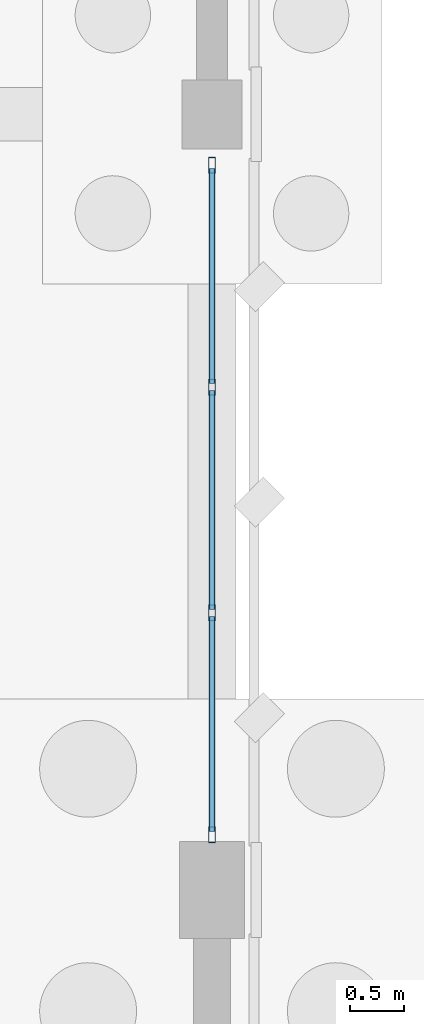
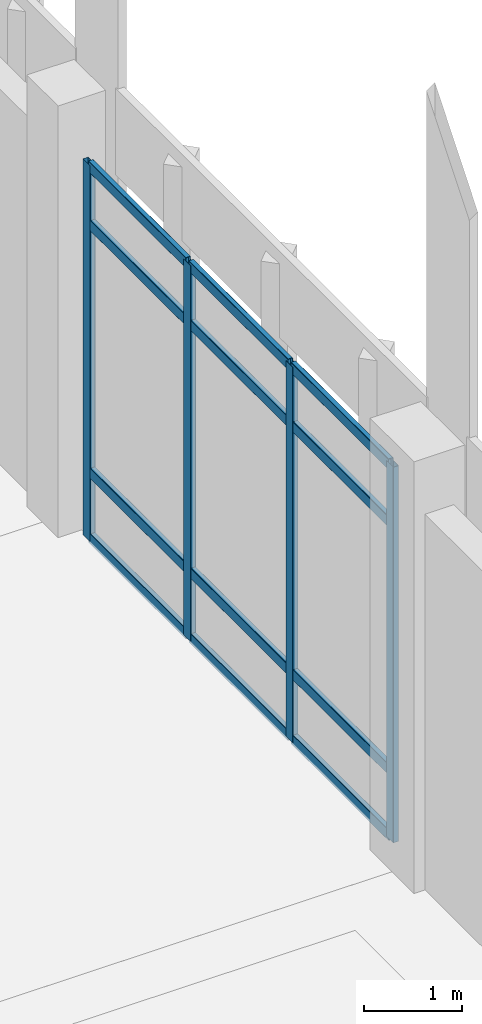
# One storey, part 64 of 109: 16 members, 1 element without a shape of its own.
"""IFC4 building model written with IfcOpenShell, lengths in metres."""

import ifcopenshell
import ifcopenshell.guid

model = None  # the IFC model being written
_history = None  # IfcOwnerHistory: only IFC2X3 demands one
_inside = {}  # id of a spatial element -> (the spatial element, [elements in it])
_under = {}  # id of a project, library or spatial element -> (it, [spatial elements below it])
_declared = {}  # id of a project -> (the project, [libraries it declares])
_typed = {}  # id of a type object -> (the type object, [elements of that type])
_made_of = {}  # id of a material, layer set ... -> (it, [elements and type objects made of it])


def new_model(schema):
    """Start an empty IFC model of exactly this schema.

    Asked for "IFC4X3", IfcOpenShell would pick the latest addendum, in which some entities
    have other attributes; the version numbers below select the first issue.
    IFC2X3 requires an IfcOwnerHistory on every rooted entity: one is made here for all.
    """
    global model, _history
    if schema == "IFC4X3":
        model = ifcopenshell.file(schema_version=(4, 3, 0, 0))
    else:
        model = ifcopenshell.file(schema=schema)
    _inside.clear()
    _under.clear()
    _declared.clear()
    _typed.clear()
    _made_of.clear()
    _history = None
    if model.schema == "IFC2X3":
        org = make("IfcOrganization", Name="unknown")
        user = make(
            "IfcPersonAndOrganization",
            ThePerson=make("IfcPerson", FamilyName="unknown"),
            TheOrganization=org,
        )
        app = make(
            "IfcApplication",
            ApplicationDeveloper=org,
            Version="unknown",
            ApplicationFullName="unknown",
            ApplicationIdentifier="unknown",
        )
        _history = make(
            "IfcOwnerHistory",
            OwningUser=user,
            OwningApplication=app,
            ChangeAction="ADDED",
            CreationDate=0,
        )
    return model


def make(cls, **values):
    """One entity of the class cls with the attributes given. An attribute that is None is left unset."""
    return model.create_entity(
        cls, **{name: value for name, value in values.items() if value is not None}
    )


def rooted(cls, **values):
    """An entity with a GlobalId (a new one), such as an element, a storey or a relation."""
    return make(cls, GlobalId=ifcopenshell.guid.new(), OwnerHistory=_history, **values)


def si_unit(unit_type, name, prefix=None):
    """IfcSIUnit, for example si_unit("LENGTHUNIT", "METRE", prefix="MILLI")."""
    return make("IfcSIUnit", UnitType=unit_type, Prefix=prefix, Name=name)


def assignment(units):
    """IfcUnitAssignment: the units of a project."""
    return None if units is None else make("IfcUnitAssignment", Units=units)


def point(xyz):
    """IfcCartesianPoint."""
    return None if xyz is None else make("IfcCartesianPoint", Coordinates=xyz)


def direction(xyz):
    """IfcDirection."""
    return None if xyz is None else make("IfcDirection", DirectionRatios=xyz)


def frame(location, z_axis=None, x_axis=None):
    """IfcAxis2Placement3D, a coordinate frame: its origin and axes. An axis left out is left unset."""
    return make(
        "IfcAxis2Placement3D",
        Location=point(location),
        Axis=direction(z_axis),
        RefDirection=direction(x_axis),
    )


def frame_2d(location, x_axis=None):
    """IfcAxis2Placement2D, a coordinate frame in the plane: its origin and x axis."""
    return make(
        "IfcAxis2Placement2D", Location=point(location), RefDirection=direction(x_axis)
    )


def origin():
    """The frame at (0, 0, 0) with its axes left unset."""
    return frame((0.0, 0.0, 0.0))


def origin_2d():
    """The frame at (0, 0) in the plane with its x axis left unset."""
    return frame_2d((0.0, 0.0))


def place(relative_to, where):
    """IfcLocalPlacement: puts the frame where relative to a parent placement (None: the world)."""
    return make(
        "IfcLocalPlacement", PlacementRelTo=relative_to, RelativePlacement=where
    )


def context(
    kind, dimensions, precision=None, world=None, true_north=None, identifier=None
):
    """IfcGeometricRepresentationContext, for example the 3D "Model" context."""
    return make(
        "IfcGeometricRepresentationContext",
        ContextIdentifier=identifier,
        ContextType=kind,
        CoordinateSpaceDimension=dimensions,
        Precision=precision,
        WorldCoordinateSystem=world,
        TrueNorth=true_north,
    )


def subcontext(parent, identifier, kind, view, scale=None):
    """IfcGeometricRepresentationSubContext, for example "Body" below "Model"."""
    return make(
        "IfcGeometricRepresentationSubContext",
        ContextIdentifier=identifier,
        ContextType=kind,
        ParentContext=parent,
        TargetScale=scale,
        TargetView=view,
    )


def project(units=None, contexts=None):
    """IfcProject with its units and contexts."""
    return rooted(
        "IfcProject",
        Name="project",
        RepresentationContexts=contexts,
        UnitsInContext=assignment(units),
    )


def spatial(cls, under=None, at=None, **own):
    """A site, building, storey or space (cls), placed at a placement, below another one or the project."""
    s = rooted(cls, ObjectPlacement=at, **own)
    if under is not None:
        _under.setdefault(under.id(), (under, []))[1].append(s)
    return s


def profile(cls, at=None, kind="AREA", **sizes):
    """A parametric profile (cls). Its sizes go by their IFC names, for example OverallWidth=200.0."""
    return make(cls, ProfileType=kind, Position=at, **sizes)


def hollow_rectangle(**sizes):
    """IfcRectangleHollowProfileDef."""
    return profile("IfcRectangleHollowProfileDef", **sizes)


def extrude(swept, where, along, depth):
    """IfcExtrudedAreaSolid: the profile swept, set in the frame where, extruded along a direction by depth."""
    return make(
        "IfcExtrudedAreaSolid",
        SweptArea=swept,
        Position=where,
        ExtrudedDirection=direction(along),
        Depth=depth,
    )


def shape(context_of_items, identifier, shape_type, items):
    """IfcShapeRepresentation: the items that make up one representation, for example the "Body"."""
    return make(
        "IfcShapeRepresentation",
        ContextOfItems=context_of_items,
        RepresentationIdentifier=identifier,
        RepresentationType=shape_type,
        Items=items,
    )


def material(Name=None, Category=None):
    """IfcMaterial."""
    return make("IfcMaterial", Name=Name, Category=Category)


def material_profile(
    of_material, cross_section, Name=None, Category=None, Priority=None
):
    """IfcMaterialProfile: a cross section and its material."""
    return make(
        "IfcMaterialProfile",
        Name=Name,
        Material=of_material,
        Profile=cross_section,
        Priority=Priority,
        Category=Category,
    )


def profile_set(profiles, Name=None, composite=None):
    """IfcMaterialProfileSet."""
    return make(
        "IfcMaterialProfileSet",
        Name=Name,
        MaterialProfiles=profiles,
        CompositeProfile=composite,
    )


def made_of(thing, what):
    """Note that an element or type object is made of a material, layer set ...; save() writes the relation."""
    if what is not None:
        _made_of.setdefault(what.id(), (what, []))[1].append(thing)
    return thing


def type_object(cls, material=None, **own):
    """A type object (cls), such as IfcWallType, which elements share."""
    return made_of(rooted(cls, **own), material)


def element(
    cls,
    number,
    at=None,
    inside=None,
    cuts=None,
    type_object=None,
    material=None,
    context=None,
    identifier="Body",
    shape_type=None,
    held_by="IfcProductDefinitionShape",
    body=None,
    shapes=None,
    **own,
):
    """One element of the class cls, such as IfcWall. Its Tag is "e" and its number.

    at: its placement. inside: the storey or other place that contains it. cuts: it is an
    opening in that element (IfcRelVoidsElement). A single representation is given by context,
    identifier, shape_type and body (its items); several are given by shapes. held_by: the class
    of the entity that holds the representations. save() writes the other relations.
    """
    e = rooted(cls, Tag="e%d" % number, ObjectPlacement=at, **own)
    if body is not None:
        shapes = [shape(context, identifier, shape_type, body)]
    if shapes is not None:
        e.Representation = make(held_by, Representations=shapes)
    if inside is not None:
        _inside.setdefault(inside.id(), (inside, []))[1].append(e)
    if cuts is not None:
        rooted(
            "IfcRelVoidsElement", RelatingBuildingElement=cuts, RelatedOpeningElement=e
        )
    if type_object is not None:
        _typed.setdefault(type_object.id(), (type_object, []))[1].append(e)
    return made_of(e, material)


def aggregate(whole, parts):
    """IfcRelAggregates: a whole, such as a stair, and the parts it consists of."""
    return rooted("IfcRelAggregates", RelatingObject=whole, RelatedObjects=parts)


def save(model, path):
    """Write the relations noted so far, then the file.

    IfcRelAggregates (storeys below a building ...), IfcRelContainedInSpatialStructure (elements
    in a storey), IfcRelDefinesByType, IfcRelAssociatesMaterial and IfcRelDeclares: one each for
    every whole, place, type object, material and project.
    """
    for whole, parts in _under.values():
        aggregate(whole, parts)
    for where, things in _inside.values():
        rooted(
            "IfcRelContainedInSpatialStructure",
            RelatedElements=things,
            RelatingStructure=where,
        )
    for kind, things in _typed.values():
        rooted("IfcRelDefinesByType", RelatedObjects=things, RelatingType=kind)
    for what, things in _made_of.values():
        rooted("IfcRelAssociatesMaterial", RelatedObjects=things, RelatingMaterial=what)
    for by, libraries in _declared.values():
        rooted("IfcRelDeclares", RelatingContext=by, RelatedDefinitions=libraries)
    model.write(path)


model = new_model("IFC4")

# Units and contexts
model_context = context("Model", 3, precision=1e-05, world=origin(), true_north=direction((0.0, 1.0)))
body_context = subcontext(model_context, "Body", "Model", "MODEL_VIEW")
ifc_project = project(units=[si_unit("LENGTHUNIT", "METRE"), si_unit("AREAUNIT", "SQUARE_METRE"), si_unit("VOLUMEUNIT", "CUBIC_METRE"), si_unit("PLANEANGLEUNIT", "RADIAN"), si_unit("MASSUNIT", "GRAM", prefix="KILO")], contexts=[model_context])

# Site, building, storey
site_placement = place(None, origin())
site = spatial("IfcSite", under=ifc_project, at=site_placement, CompositionType="ELEMENT")
building_placement = place(site_placement, origin())
building = spatial("IfcBuilding", under=site, at=building_placement, Name="Lusvemor Sports Hall", CompositionType="ELEMENT")
storey_placement = place(building_placement, origin())
storey = spatial("IfcBuildingStorey", under=building, at=storey_placement, Name="L00", CompositionType="ELEMENT", Elevation=0.0)

# Curtain wall, members
ifc_material_1 = material(Name="Thermally broken bronze-anodized aluminium", Category="aluminium")
curtain_wall_type = type_object("IfcCurtainWallType", Name="CW_PASSAGE_E", PredefinedType="NOTDEFINED", material=ifc_material_1)
curtain_wall_placement = place(storey_placement, origin())
curtain_wall = element("IfcCurtainWall", 1, at=curtain_wall_placement, inside=storey, type_object=curtain_wall_type, Name="Curtain Wall CW-ELINK-169-L00", PredefinedType="NOTDEFINED")
ifc_material_2 = material(Name="Thermally broken bronze-anodized aluminium", Category="aluminium")
ifc_material_profile_1 = material_profile(ifc_material_2, hollow_rectangle(XDim=0.06494140625, YDim=0.14990234375, WallThickness=0.00390625, InnerFilletRadius=0.00390625, OuterFilletRadius=0.008056640625, at=origin_2d()), Name="CWMUL150x65x4")
ifc_profile_set_1 = profile_set([ifc_material_profile_1], Name="Thermally broken bronze-anodized aluminium")
member_type_1 = type_object("IfcMemberType", Name="CW_MUL_B", PredefinedType="MULLION", material=ifc_profile_set_1)
member_1_placement = place(storey_placement, frame((169.199951171875, 40.112548828125, 0.0), z_axis=(0.0, 0.0, 1.0), x_axis=(-1.0, 0.0, 0.0)))
member_1 = element("IfcMember", 2, at=member_1_placement, type_object=member_type_1, Name="CW05 mullion 1", PredefinedType="MULLION", context=body_context, shape_type="SweptSolid", body=[
    extrude(hollow_rectangle(XDim=0.06494140625, YDim=0.14990234375, WallThickness=0.00390625, InnerFilletRadius=0.00390625, OuterFilletRadius=0.008056640625, at=origin_2d()), origin(), (0.0, 0.0, 1.0), 4.699951171875),
])
member_2_placement = place(storey_placement, frame((169.199951171875, 42.17333984375, 0.0), z_axis=(0.0, 0.0, 1.0), x_axis=(-1.0, 0.0, 0.0)))
member_2 = element("IfcMember", 3, at=member_2_placement, type_object=member_type_1, Name="CW05 mullion 2", PredefinedType="MULLION", context=body_context, shape_type="SweptSolid", body=[
    extrude(hollow_rectangle(XDim=0.06494140625, YDim=0.14990234375, WallThickness=0.00390625, InnerFilletRadius=0.00390625, OuterFilletRadius=0.008056640625, at=origin_2d()), origin(), (0.0, 0.0, 1.0), 4.699951171875),
])
member_3_placement = place(storey_placement, frame((169.199951171875, 44.2666015625, 0.0), z_axis=(0.0, 0.0, 1.0), x_axis=(-1.0, 0.0, 0.0)))
member_3 = element("IfcMember", 4, at=member_3_placement, type_object=member_type_1, Name="CW05 mullion 3", PredefinedType="MULLION", context=body_context, shape_type="SweptSolid", body=[
    extrude(hollow_rectangle(XDim=0.06494140625, YDim=0.14990234375, WallThickness=0.00390625, InnerFilletRadius=0.00390625, OuterFilletRadius=0.008056640625, at=origin_2d()), origin(), (0.0, 0.0, 1.0), 4.699951171875),
])
member_4_placement = place(storey_placement, frame((169.199951171875, 46.327392578125, 0.0), z_axis=(0.0, 0.0, 1.0), x_axis=(-1.0, 0.0, 0.0)))
member_4 = element("IfcMember", 5, at=member_4_placement, type_object=member_type_1, Name="CW05 mullion 4", PredefinedType="MULLION", context=body_context, shape_type="SweptSolid", body=[
    extrude(hollow_rectangle(XDim=0.06494140625, YDim=0.14990234375, WallThickness=0.00390625, InnerFilletRadius=0.00390625, OuterFilletRadius=0.008056640625, at=origin_2d()), origin(), (0.0, 0.0, 1.0), 4.699951171875),
])
ifc_material_3 = material(Name="Thermally broken bronze-anodized aluminium", Category="aluminium")
ifc_material_profile_2 = material_profile(ifc_material_3, hollow_rectangle(XDim=0.06005859375, YDim=0.135009765625, WallThickness=0.00390625, InnerFilletRadius=0.00390625, OuterFilletRadius=0.008056640625, at=origin_2d()), Name="CWTRN135x60x4")
ifc_profile_set_2 = profile_set([ifc_material_profile_2], Name="Thermally broken bronze-anodized aluminium")
member_type_2 = type_object("IfcMemberType", Name="CW_TRN_B", PredefinedType="USERDEFINED", material=ifc_profile_set_2)
member_5_placement = place(storey_placement, frame((169.199951171875, 40.14501953125, 0.030029296875), z_axis=(0.0, 1.0, 0.0), x_axis=(-1.0, 0.0, 0.0)))
member_5 = element("IfcMember", 6, at=member_5_placement, type_object=member_type_2, Name="CW05 transom 1.1", ObjectType="TRANSOM", PredefinedType="USERDEFINED", context=body_context, shape_type="SweptSolid", body=[
    extrude(hollow_rectangle(XDim=0.06005859375, YDim=0.135009765625, WallThickness=0.00390625, InnerFilletRadius=0.00390625, OuterFilletRadius=0.008056640625, at=origin_2d()), origin(), (0.0, 0.0, 1.0), 1.995849609375),
])
member_6_placement = place(storey_placement, frame((169.199951171875, 40.14501953125, 0.85009765625), z_axis=(0.0, 1.0, 0.0), x_axis=(-1.0, 0.0, 0.0)))
member_6 = element("IfcMember", 7, at=member_6_placement, type_object=member_type_2, Name="CW05 transom 1.2", ObjectType="TRANSOM", PredefinedType="USERDEFINED", context=body_context, shape_type="SweptSolid", body=[
    extrude(hollow_rectangle(XDim=0.06005859375, YDim=0.135009765625, WallThickness=0.00390625, InnerFilletRadius=0.00390625, OuterFilletRadius=0.008056640625, at=origin_2d()), origin(), (0.0, 0.0, 1.0), 1.995849609375),
])
member_7_placement = place(storey_placement, frame((169.199951171875, 40.14501953125, 3.949951171875), z_axis=(0.0, 1.0, 0.0), x_axis=(-1.0, 0.0, 0.0)))
member_7 = element("IfcMember", 8, at=member_7_placement, type_object=member_type_2, Name="CW05 transom 1.3", ObjectType="TRANSOM", PredefinedType="USERDEFINED", context=body_context, shape_type="SweptSolid", body=[
    extrude(hollow_rectangle(XDim=0.06005859375, YDim=0.135009765625, WallThickness=0.00390625, InnerFilletRadius=0.00390625, OuterFilletRadius=0.008056640625, at=origin_2d()), origin(), (0.0, 0.0, 1.0), 1.995849609375),
])
member_8_placement = place(storey_placement, frame((169.199951171875, 40.14501953125, 4.669921875), z_axis=(0.0, 1.0, 0.0), x_axis=(-1.0, 0.0, 0.0)))
member_8 = element("IfcMember", 9, at=member_8_placement, type_object=member_type_2, Name="CW05 transom 1.4", ObjectType="TRANSOM", PredefinedType="USERDEFINED", context=body_context, shape_type="SweptSolid", body=[
    extrude(hollow_rectangle(XDim=0.06005859375, YDim=0.135009765625, WallThickness=0.00390625, InnerFilletRadius=0.00390625, OuterFilletRadius=0.008056640625, at=origin_2d()), origin(), (0.0, 0.0, 1.0), 1.995849609375),
])
member_9_placement = place(storey_placement, frame((169.199951171875, 42.205810546875, 0.030029296875), z_axis=(0.0, 1.0, 0.0), x_axis=(-1.0, 0.0, 0.0)))
member_9 = element("IfcMember", 10, at=member_9_placement, type_object=member_type_2, Name="CW05 transom 2.1", ObjectType="TRANSOM", PredefinedType="USERDEFINED", context=body_context, shape_type="SweptSolid", body=[
    extrude(hollow_rectangle(XDim=0.06005859375, YDim=0.135009765625, WallThickness=0.00390625, InnerFilletRadius=0.00390625, OuterFilletRadius=0.008056640625, at=origin_2d()), origin(), (0.0, 0.0, 1.0), 2.0283203125),
])
member_10_placement = place(storey_placement, frame((169.199951171875, 42.205810546875, 0.85009765625), z_axis=(0.0, 1.0, 0.0), x_axis=(-1.0, 0.0, 0.0)))
member_10 = element("IfcMember", 11, at=member_10_placement, type_object=member_type_2, Name="CW05 transom 2.2", ObjectType="TRANSOM", PredefinedType="USERDEFINED", context=body_context, shape_type="SweptSolid", body=[
    extrude(hollow_rectangle(XDim=0.06005859375, YDim=0.135009765625, WallThickness=0.00390625, InnerFilletRadius=0.00390625, OuterFilletRadius=0.008056640625, at=origin_2d()), origin(), (0.0, 0.0, 1.0), 2.0283203125),
])
member_11_placement = place(storey_placement, frame((169.199951171875, 42.205810546875, 3.949951171875), z_axis=(0.0, 1.0, 0.0), x_axis=(-1.0, 0.0, 0.0)))
member_11 = element("IfcMember", 12, at=member_11_placement, type_object=member_type_2, Name="CW05 transom 2.3", ObjectType="TRANSOM", PredefinedType="USERDEFINED", context=body_context, shape_type="SweptSolid", body=[
    extrude(hollow_rectangle(XDim=0.06005859375, YDim=0.135009765625, WallThickness=0.00390625, InnerFilletRadius=0.00390625, OuterFilletRadius=0.008056640625, at=origin_2d()), origin(), (0.0, 0.0, 1.0), 2.0283203125),
])
member_12_placement = place(storey_placement, frame((169.199951171875, 42.205810546875, 4.669921875), z_axis=(0.0, 1.0, 0.0), x_axis=(-1.0, 0.0, 0.0)))
member_12 = element("IfcMember", 13, at=member_12_placement, type_object=member_type_2, Name="CW05 transom 2.4", ObjectType="TRANSOM", PredefinedType="USERDEFINED", context=body_context, shape_type="SweptSolid", body=[
    extrude(hollow_rectangle(XDim=0.06005859375, YDim=0.135009765625, WallThickness=0.00390625, InnerFilletRadius=0.00390625, OuterFilletRadius=0.008056640625, at=origin_2d()), origin(), (0.0, 0.0, 1.0), 2.0283203125),
])
member_13_placement = place(storey_placement, frame((169.199951171875, 44.299072265625, 0.030029296875), z_axis=(0.0, 1.0, 0.0), x_axis=(-1.0, 0.0, 0.0)))
member_13 = element("IfcMember", 14, at=member_13_placement, type_object=member_type_2, Name="CW05 transom 3.1", ObjectType="TRANSOM", PredefinedType="USERDEFINED", context=body_context, shape_type="SweptSolid", body=[
    extrude(hollow_rectangle(XDim=0.06005859375, YDim=0.135009765625, WallThickness=0.00390625, InnerFilletRadius=0.00390625, OuterFilletRadius=0.008056640625, at=origin_2d()), origin(), (0.0, 0.0, 1.0), 1.995849609375),
])
member_14_placement = place(storey_placement, frame((169.199951171875, 44.299072265625, 0.85009765625), z_axis=(0.0, 1.0, 0.0), x_axis=(-1.0, 0.0, 0.0)))
member_14 = element("IfcMember", 15, at=member_14_placement, type_object=member_type_2, Name="CW05 transom 3.2", ObjectType="TRANSOM", PredefinedType="USERDEFINED", context=body_context, shape_type="SweptSolid", body=[
    extrude(hollow_rectangle(XDim=0.06005859375, YDim=0.135009765625, WallThickness=0.00390625, InnerFilletRadius=0.00390625, OuterFilletRadius=0.008056640625, at=origin_2d()), origin(), (0.0, 0.0, 1.0), 1.995849609375),
])
member_15_placement = place(storey_placement, frame((169.199951171875, 44.299072265625, 3.949951171875), z_axis=(0.0, 1.0, 0.0), x_axis=(-1.0, 0.0, 0.0)))
member_15 = element("IfcMember", 16, at=member_15_placement, type_object=member_type_2, Name="CW05 transom 3.3", ObjectType="TRANSOM", PredefinedType="USERDEFINED", context=body_context, shape_type="SweptSolid", body=[
    extrude(hollow_rectangle(XDim=0.06005859375, YDim=0.135009765625, WallThickness=0.00390625, InnerFilletRadius=0.00390625, OuterFilletRadius=0.008056640625, at=origin_2d()), origin(), (0.0, 0.0, 1.0), 1.995849609375),
])
member_16_placement = place(storey_placement, frame((169.199951171875, 44.299072265625, 4.669921875), z_axis=(0.0, 1.0, 0.0), x_axis=(-1.0, 0.0, 0.0)))
member_16 = element("IfcMember", 17, at=member_16_placement, type_object=member_type_2, Name="CW05 transom 3.4", ObjectType="TRANSOM", PredefinedType="USERDEFINED", context=body_context, shape_type="SweptSolid", body=[
    extrude(hollow_rectangle(XDim=0.06005859375, YDim=0.135009765625, WallThickness=0.00390625, InnerFilletRadius=0.00390625, OuterFilletRadius=0.008056640625, at=origin_2d()), origin(), (0.0, 0.0, 1.0), 1.995849609375),
])
aggregate(curtain_wall, [member_1, member_2, member_3, member_4, member_5, member_6, member_7, member_8, member_9, member_10, member_11, member_12, member_13, member_14, member_15, member_16])

save(model, "model.ifc")
